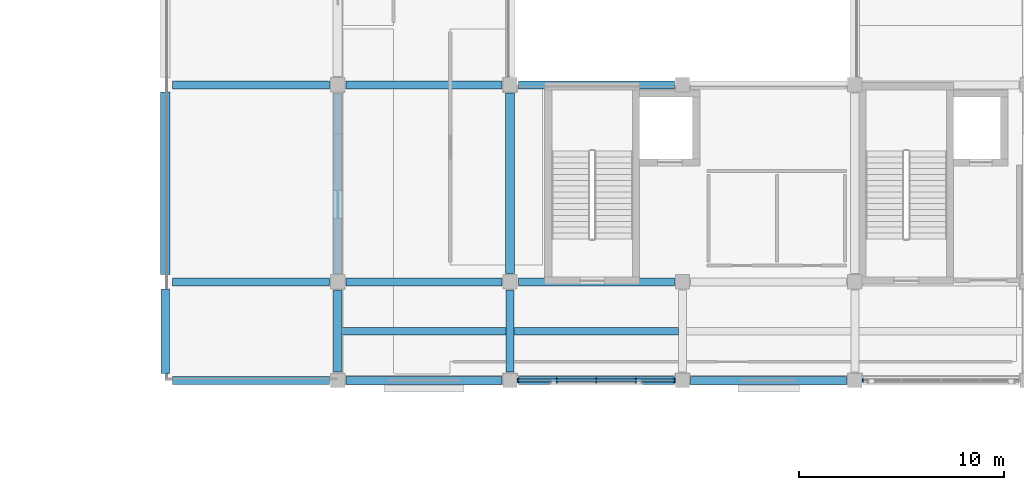
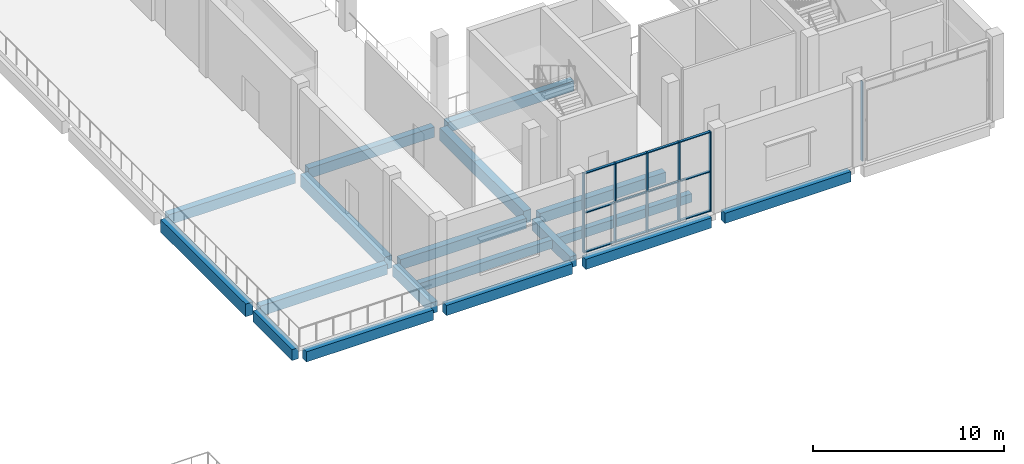
# One storey, part 36 of 83: 18 beams, 9 members, 2 elements without a shape of their own.
"""IFC4 building model written with IfcOpenShell, lengths in metres."""

from ifc_helpers import new_model, si_unit, direction, frame, origin, origin_2d, place, context, subcontext, project, spatial, rectangle, extrude, material, material_profile, profile_set, type_object, element, aggregate, save


model = new_model("IFC4")

# Units and contexts
model_context = context("Model", 3, precision=1e-05, world=origin(), true_north=direction((0.0, 1.0)))
body_context = subcontext(model_context, "Body", "Model", "MODEL_VIEW")
ifc_project = project(units=[si_unit("LENGTHUNIT", "METRE"), si_unit("AREAUNIT", "SQUARE_METRE"), si_unit("VOLUMEUNIT", "CUBIC_METRE"), si_unit("PLANEANGLEUNIT", "RADIAN"), si_unit("MASSUNIT", "GRAM", prefix="KILO")], contexts=[model_context])

# Site, building, storey
site_placement = place(None, origin())
site = spatial("IfcSite", under=ifc_project, at=site_placement, CompositionType="ELEMENT")
building_placement = place(site_placement, origin())
building = spatial("IfcBuilding", under=site, at=building_placement, Name="Shalvenor Court Art Gallery", CompositionType="ELEMENT")
storey_placement = place(building_placement, frame((0.0, 0.0, 6.0)))
storey = spatial("IfcBuildingStorey", under=building, at=storey_placement, Name="L01", CompositionType="ELEMENT", Elevation=6.0)

# Beams
ifc_material_1 = material(Name="Concrete C40/50", Category="concrete")
ifc_material_profile_1 = material_profile(ifc_material_1, rectangle(XDim=0.449951171875, YDim=0.800048828125, at=origin_2d()), Name="RC 450x800")
ifc_profile_set_1 = profile_set([ifc_material_profile_1], Name="Concrete C40/50")
beam_type_1 = type_object("IfcBeamType", Name="B-03", PredefinedType="BEAM", material=ifc_profile_set_1)
beam_1_placement = place(storey_placement, frame((134.39990234375, 50.75, -0.719970703125), z_axis=(0.0, 1.0, 0.0), x_axis=(-1.0, 0.0, 0.0)))
element("IfcBeam", 1, at=beam_1_placement, inside=storey, type_object=beam_type_1, Name="L01 Girder BM-L01-B-03-0455", PredefinedType="BEAM", context=body_context, shape_type="SweptSolid", body=[
    extrude(rectangle(XDim=0.449951171875, YDim=0.800048828125, at=origin_2d()), origin(), (0.0, 0.0, 1.0), 8.89990234375),
])
for number, where, z_axis, x_axis, name in (
    (2, (142.800048828125, 50.800048828125, -0.719970703125), (0.0, 1.0, 0.0), (-1.0, 0.0, 0.0), "L01 Girder BM-L01-B-03-0461"),
    (3, (151.199951171875, 50.800048828125, -0.719970703125), (0.0, 1.0, 0.0), (-1.0, 0.0, 0.0), "L01 Girder BM-L01-B-03-0467"),
):
    element("IfcBeam", number, at=place(storey_placement, frame(where, z_axis=z_axis, x_axis=x_axis)), inside=storey, type_object=beam_type_1, Name=name, PredefinedType="BEAM", context=body_context, shape_type="SweptSolid", body=[
        extrude(rectangle(XDim=0.449951171875, YDim=0.800048828125, at=origin_2d()), origin(), (0.0, 0.0, 1.0), 8.800048828125),
    ])
ifc_material_2 = material(Name="Concrete C40/50", Category="concrete")
ifc_material_profile_2 = material_profile(ifc_material_2, rectangle(XDim=0.39990234375, YDim=0.699951171875, at=origin_2d()), Name="RC 400x700")
ifc_profile_set_2 = profile_set([ifc_material_profile_2], Name="Concrete C40/50")
beam_type_2 = type_object("IfcBeamType", Name="B-05", PredefinedType="BEAM", material=ifc_profile_set_2)
beam_2_placement = place(storey_placement, frame((134.39990234375, 45.949951171875, -0.669921875), z_axis=(0.0, 1.0, 0.0), x_axis=(-1.0, 0.0, 0.0)))
element("IfcBeam", 4, at=beam_2_placement, inside=storey, type_object=beam_type_2, Name="L01 Girder BM-L01-B-05-0454", PredefinedType="BEAM", context=body_context, shape_type="SweptSolid", body=[
    extrude(rectangle(XDim=0.39990234375, YDim=0.699951171875, at=origin_2d()), origin(), (0.0, 0.0, 1.0), 4.10009765625),
])
for number, where, z_axis, x_axis, name in (
    (5, (142.800048828125, 46.0, -0.669921875), (0.0, 1.0, 0.0), (-1.0, 0.0, 0.0), "L01 Girder BM-L01-B-05-0460"),
    (6, (151.199951171875, 46.0, -0.669921875), (0.0, 1.0, 0.0), (-1.0, 0.0, 0.0), "L01 Girder BM-L01-B-05-0466"),
):
    element("IfcBeam", number, at=place(storey_placement, frame(where, z_axis=z_axis, x_axis=x_axis)), inside=storey, type_object=beam_type_2, Name=name, PredefinedType="BEAM", context=body_context, shape_type="SweptSolid", body=[
        extrude(rectangle(XDim=0.39990234375, YDim=0.699951171875, at=origin_2d()), origin(), (0.0, 0.0, 1.0), 4.0),
    ])
ifc_material_3 = material(Name="Concrete C40/50", Category="concrete")
ifc_material_profile_3 = material_profile(ifc_material_3, rectangle(XDim=0.39990234375, YDim=0.64990234375, at=origin_2d()), Name="RC 400x650")
ifc_profile_set_3 = profile_set([ifc_material_profile_3], Name="Concrete C40/50")
beam_type_3 = type_object("IfcBeamType", Name="B-06", PredefinedType="BEAM", material=ifc_profile_set_3)
beam_3_placement = place(storey_placement, frame((134.75, 45.60009765625, -0.64501953125), z_axis=(1.0, 0.0, 0.0), x_axis=(0.0, 1.0, 0.0)))
element("IfcBeam", 7, at=beam_3_placement, inside=storey, type_object=beam_type_3, Name="L01 Girder BM-L01-B-06-0537", PredefinedType="BEAM", context=body_context, shape_type="SweptSolid", body=[
    extrude(rectangle(XDim=0.39990234375, YDim=0.64990234375, at=origin_2d()), origin(), (0.0, 0.0, 1.0), 7.64990234375),
])
beam_4_placement = place(storey_placement, frame((143.199951171875, 45.60009765625, -0.64501953125), z_axis=(1.0, 0.0, 0.0), x_axis=(0.0, 1.0, 0.0)))
element("IfcBeam", 8, at=beam_4_placement, inside=storey, type_object=beam_type_3, Name="L01 Girder BM-L01-B-06-0538", PredefinedType="BEAM", context=body_context, shape_type="SweptSolid", body=[
    extrude(rectangle(XDim=0.39990234375, YDim=0.64990234375, at=origin_2d()), origin(), (0.0, 0.0, 1.0), 7.60009765625),
])
beam_5_placement = place(storey_placement, frame((151.60009765625, 45.60009765625, -0.64501953125), z_axis=(1.0, 0.0, 0.0), x_axis=(0.0, 1.0, 0.0)))
element("IfcBeam", 9, at=beam_5_placement, inside=storey, type_object=beam_type_3, Name="L01 Girder BM-L01-B-06-0539", PredefinedType="BEAM", context=body_context, shape_type="SweptSolid", body=[
    extrude(rectangle(XDim=0.39990234375, YDim=0.64990234375, at=origin_2d()), origin(), (0.0, 0.0, 1.0), 7.599853515625),
])
beam_6_placement = place(storey_placement, frame((160.0, 45.60009765625, -0.64501953125), z_axis=(1.0, 0.0, 0.0), x_axis=(0.0, 1.0, 0.0)))
element("IfcBeam", 10, at=beam_6_placement, inside=storey, type_object=beam_type_3, Name="L01 Girder BM-L01-B-06-0540", PredefinedType="BEAM", context=body_context, shape_type="SweptSolid", body=[
    extrude(rectangle(XDim=0.39990234375, YDim=0.64990234375, at=origin_2d()), origin(), (0.0, 0.0, 1.0), 7.60009765625),
])
beam_7_placement = place(storey_placement, frame((134.75, 50.39990234375, -0.64501953125), z_axis=(1.0, 0.0, 0.0), x_axis=(0.0, 1.0, 0.0)))
element("IfcBeam", 11, at=beam_7_placement, inside=storey, type_object=beam_type_3, Name="L01 Girder BM-L01-B-06-0543", PredefinedType="BEAM", context=body_context, shape_type="SweptSolid", body=[
    extrude(rectangle(XDim=0.39990234375, YDim=0.64990234375, at=origin_2d()), origin(), (0.0, 0.0, 1.0), 7.64990234375),
])
beam_8_placement = place(storey_placement, frame((143.199951171875, 50.39990234375, -0.64501953125), z_axis=(1.0, 0.0, 0.0), x_axis=(0.0, 1.0, 0.0)))
element("IfcBeam", 12, at=beam_8_placement, inside=storey, type_object=beam_type_3, Name="L01 Girder BM-L01-B-06-0544", PredefinedType="BEAM", context=body_context, shape_type="SweptSolid", body=[
    extrude(rectangle(XDim=0.39990234375, YDim=0.64990234375, at=origin_2d()), origin(), (0.0, 0.0, 1.0), 7.60009765625),
])
beam_9_placement = place(storey_placement, frame((151.60009765625, 50.39990234375, -0.64501953125), z_axis=(1.0, 0.0, 0.0), x_axis=(0.0, 1.0, 0.0)))
element("IfcBeam", 13, at=beam_9_placement, inside=storey, type_object=beam_type_3, Name="L01 Girder BM-L01-B-06-0545", PredefinedType="BEAM", context=body_context, shape_type="SweptSolid", body=[
    extrude(rectangle(XDim=0.39990234375, YDim=0.64990234375, at=origin_2d()), origin(), (0.0, 0.0, 1.0), 7.599853515625),
])
beam_10_placement = place(storey_placement, frame((134.75, 60.0, -0.64501953125), z_axis=(1.0, 0.0, 0.0), x_axis=(0.0, 1.0, 0.0)))
element("IfcBeam", 14, at=beam_10_placement, inside=storey, type_object=beam_type_3, Name="L01 Girder BM-L01-B-06-0551", PredefinedType="BEAM", context=body_context, shape_type="SweptSolid", body=[
    extrude(rectangle(XDim=0.39990234375, YDim=0.64990234375, at=origin_2d()), origin(), (0.0, 0.0, 1.0), 7.64990234375),
])
beam_11_placement = place(storey_placement, frame((143.199951171875, 60.0, -0.64501953125), z_axis=(1.0, 0.0, 0.0), x_axis=(0.0, 1.0, 0.0)))
element("IfcBeam", 15, at=beam_11_placement, inside=storey, type_object=beam_type_3, Name="L01 Girder BM-L01-B-06-0552", PredefinedType="BEAM", context=body_context, shape_type="SweptSolid", body=[
    extrude(rectangle(XDim=0.39990234375, YDim=0.64990234375, at=origin_2d()), origin(), (0.0, 0.0, 1.0), 7.60009765625),
])
beam_12_placement = place(storey_placement, frame((151.60009765625, 60.0, -0.64501953125), z_axis=(1.0, 0.0, 0.0), x_axis=(0.0, 1.0, 0.0)))
element("IfcBeam", 16, at=beam_12_placement, inside=storey, type_object=beam_type_3, Name="L01 Girder BM-L01-B-06-0553", PredefinedType="BEAM", context=body_context, shape_type="SweptSolid", body=[
    extrude(rectangle(XDim=0.39990234375, YDim=0.64990234375, at=origin_2d()), origin(), (0.0, 0.0, 1.0), 7.599853515625),
])

# Curtain wall, member
ifc_material_4 = material(Name="Anodised aluminium and low-iron glass curtain wall", Category="aluminium")
curtain_wall_type_1 = type_object("IfcCurtainWallType", Name="CW-4x2-77-51-142", PredefinedType="USERDEFINED", material=ifc_material_4)
curtain_wall_1_placement = place(storey_placement, origin())
curtain_wall_1 = element("IfcCurtainWall", 17, at=curtain_wall_1_placement, inside=storey, type_object=curtain_wall_type_1, Name="L01 V1 Curtain Wall CW-L01-008", ObjectType="CURTAIN WALL", PredefinedType="USERDEFINED")
ifc_material_5 = material(Name="Anodised aluminium mullion", Category="aluminium")
ifc_material_profile_4 = material_profile(ifc_material_5, rectangle(XDim=0.06494140625, YDim=0.179931640625, at=origin_2d()), Name="CWM-01")
ifc_profile_set_4 = profile_set([ifc_material_profile_4], Name="Anodised aluminium mullion")
member_type_1 = type_object("IfcMemberType", Name="CWM-01", PredefinedType="MULLION", material=ifc_profile_set_4)
member_1_placement = place(storey_placement, frame((168.382568359375, 45.60009765625, 0.0), z_axis=(0.0, 0.0, 1.0), x_axis=(-1.0, 0.0, 0.0)))
member_1 = element("IfcMember", 18, at=member_1_placement, type_object=member_type_1, Name="CW-4x2-77-51-142 mullion 5", PredefinedType="MULLION", context=body_context, shape_type="SweptSolid", body=[
    extrude(rectangle(XDim=0.06494140625, YDim=0.179931640625, at=origin_2d()), origin(), (0.0, 0.0, 1.0), 5.080078125),
])
aggregate(curtain_wall_1, [member_1])

# Curtain wall, members
ifc_material_6 = material(Name="Anodised aluminium and low-iron glass curtain wall", Category="aluminium")
curtain_wall_type_2 = type_object("IfcCurtainWallType", Name="CW-4x2-77-51-212", PredefinedType="USERDEFINED", material=ifc_material_6)
curtain_wall_2_placement = place(storey_placement, origin())
curtain_wall_2 = element("IfcCurtainWall", 19, at=curtain_wall_2_placement, inside=storey, type_object=curtain_wall_type_2, Name="L01 V1 Curtain Wall CW-L01-009", ObjectType="CURTAIN WALL", PredefinedType="USERDEFINED")
ifc_material_7 = material(Name="Anodised aluminium mullion", Category="aluminium")
ifc_material_profile_5 = material_profile(ifc_material_7, rectangle(XDim=0.070068359375, YDim=0.199951171875, at=origin_2d()), Name="CWM-02")
ifc_profile_set_5 = profile_set([ifc_material_profile_5], Name="Anodised aluminium mullion")
member_type_2 = type_object("IfcMemberType", Name="CWM-02", PredefinedType="MULLION", material=ifc_profile_set_5)
member_2_placement = place(storey_placement, frame((159.215087890625, 45.60009765625, 0.0), z_axis=(0.0, 0.0, 1.0), x_axis=(-1.0, 0.0, 0.0)))
member_2 = element("IfcMember", 20, at=member_2_placement, type_object=member_type_2, Name="CW-4x2-77-51-212 mullion 1", PredefinedType="MULLION", context=body_context, shape_type="SweptSolid", body=[
    extrude(rectangle(XDim=0.070068359375, YDim=0.199951171875, at=origin_2d()), origin(), (0.0, 0.0, 1.0), 5.080078125),
])
member_3_placement = place(storey_placement, frame((157.324951171875, 45.60009765625, 0.0), z_axis=(0.0, 0.0, 1.0), x_axis=(-1.0, 0.0, 0.0)))
member_3 = element("IfcMember", 21, at=member_3_placement, type_object=member_type_2, Name="CW-4x2-77-51-212 mullion 2", PredefinedType="MULLION", context=body_context, shape_type="SweptSolid", body=[
    extrude(rectangle(XDim=0.070068359375, YDim=0.199951171875, at=origin_2d()), origin(), (0.0, 0.0, 1.0), 5.080078125),
])
member_4_placement = place(storey_placement, frame((155.39990234375, 45.60009765625, 0.0), z_axis=(0.0, 0.0, 1.0), x_axis=(-1.0, 0.0, 0.0)))
member_4 = element("IfcMember", 22, at=member_4_placement, type_object=member_type_2, Name="CW-4x2-77-51-212 mullion 3", PredefinedType="MULLION", context=body_context, shape_type="SweptSolid", body=[
    extrude(rectangle(XDim=0.070068359375, YDim=0.199951171875, at=origin_2d()), origin(), (0.0, 0.0, 1.0), 5.080078125),
])
member_5_placement = place(storey_placement, frame((153.47509765625, 45.60009765625, 0.0), z_axis=(0.0, 0.0, 1.0), x_axis=(-1.0, 0.0, 0.0)))
member_5 = element("IfcMember", 23, at=member_5_placement, type_object=member_type_2, Name="CW-4x2-77-51-212 mullion 4", PredefinedType="MULLION", context=body_context, shape_type="SweptSolid", body=[
    extrude(rectangle(XDim=0.070068359375, YDim=0.199951171875, at=origin_2d()), origin(), (0.0, 0.0, 1.0), 5.080078125),
])
member_6_placement = place(storey_placement, frame((151.5849609375, 45.60009765625, 0.0), z_axis=(0.0, 0.0, 1.0), x_axis=(-1.0, 0.0, 0.0)))
member_6 = element("IfcMember", 24, at=member_6_placement, type_object=member_type_2, Name="CW-4x2-77-51-212 mullion 5", PredefinedType="MULLION", context=body_context, shape_type="SweptSolid", body=[
    extrude(rectangle(XDim=0.070068359375, YDim=0.199951171875, at=origin_2d()), origin(), (0.0, 0.0, 1.0), 5.080078125),
])
ifc_material_8 = material(Name="Anodised aluminium transom", Category="aluminium")
ifc_material_profile_6 = material_profile(ifc_material_8, rectangle(XDim=0.14990234375, YDim=0.06005859375, at=origin_2d()), Name="CWT-01")
ifc_profile_set_6 = profile_set([ifc_material_profile_6], Name="Anodised aluminium transom")
member_type_3 = type_object("IfcMemberType", Name="CWT-01", PredefinedType="USERDEFINED", material=ifc_profile_set_6)
member_7_placement = place(storey_placement, frame((159.215087890625, 45.60009765625, 0.030029296875), z_axis=(-1.0, 0.0, 0.0), x_axis=(0.0, -1.0, 0.0)))
member_7 = element("IfcMember", 25, at=member_7_placement, type_object=member_type_3, Name="CW-4x2-77-51-212 transom 1", ObjectType="TRANSOM", PredefinedType="USERDEFINED", context=body_context, shape_type="SweptSolid", body=[
    extrude(rectangle(XDim=0.14990234375, YDim=0.06005859375, at=origin_2d()), origin(), (0.0, 0.0, 1.0), 7.630126953125),
])
member_8_placement = place(storey_placement, frame((159.215087890625, 45.60009765625, 2.5400390625), z_axis=(-1.0, 0.0, 0.0), x_axis=(0.0, -1.0, 0.0)))
member_8 = element("IfcMember", 26, at=member_8_placement, type_object=member_type_3, Name="CW-4x2-77-51-212 transom 2", ObjectType="TRANSOM", PredefinedType="USERDEFINED", context=body_context, shape_type="SweptSolid", body=[
    extrude(rectangle(XDim=0.14990234375, YDim=0.06005859375, at=origin_2d()), origin(), (0.0, 0.0, 1.0), 7.630126953125),
])
member_9_placement = place(storey_placement, frame((159.215087890625, 45.60009765625, 5.050048828125), z_axis=(-1.0, 0.0, 0.0), x_axis=(0.0, -1.0, 0.0)))
member_9 = element("IfcMember", 27, at=member_9_placement, type_object=member_type_3, Name="CW-4x2-77-51-212 transom 3", ObjectType="TRANSOM", PredefinedType="USERDEFINED", context=body_context, shape_type="SweptSolid", body=[
    extrude(rectangle(XDim=0.14990234375, YDim=0.06005859375, at=origin_2d()), origin(), (0.0, 0.0, 1.0), 7.630126953125),
])
aggregate(curtain_wall_2, [member_2, member_3, member_4, member_5, member_6, member_7, member_8, member_9])

# Beams
ifc_material_9 = material(Name="Concrete C40/50", Category="concrete")
ifc_material_profile_7 = material_profile(ifc_material_9, rectangle(XDim=0.35009765625, YDim=0.550048828125, at=origin_2d()), Name="RC 350x550")
ifc_profile_set_7 = profile_set([ifc_material_profile_7], Name="Concrete C40/50")
beam_type_4 = type_object("IfcBeamType", Name="J-02", PredefinedType="JOIST", material=ifc_profile_set_7)
for number, where, z_axis, x_axis, name in (
    (28, (143.0, 48.0, -0.594970703125), (1.0, 0.0, 0.0), (0.0, 1.0, 0.0), "L01 Secondary Beam JST-L01-J-02-0672"),
    (29, (151.39990234375, 48.0, -0.594970703125), (1.0, 0.0, 0.0), (0.0, 1.0, 0.0), "L01 Secondary Beam JST-L01-J-02-0677"),
):
    element("IfcBeam", number, at=place(storey_placement, frame(where, z_axis=z_axis, x_axis=x_axis)), inside=storey, type_object=beam_type_4, Name=name, PredefinedType="JOIST", context=body_context, shape_type="SweptSolid", body=[
        extrude(rectangle(XDim=0.35009765625, YDim=0.550048828125, at=origin_2d()), origin(), (0.0, 0.0, 1.0), 8.0),
    ])

save(model, "model.ifc")
